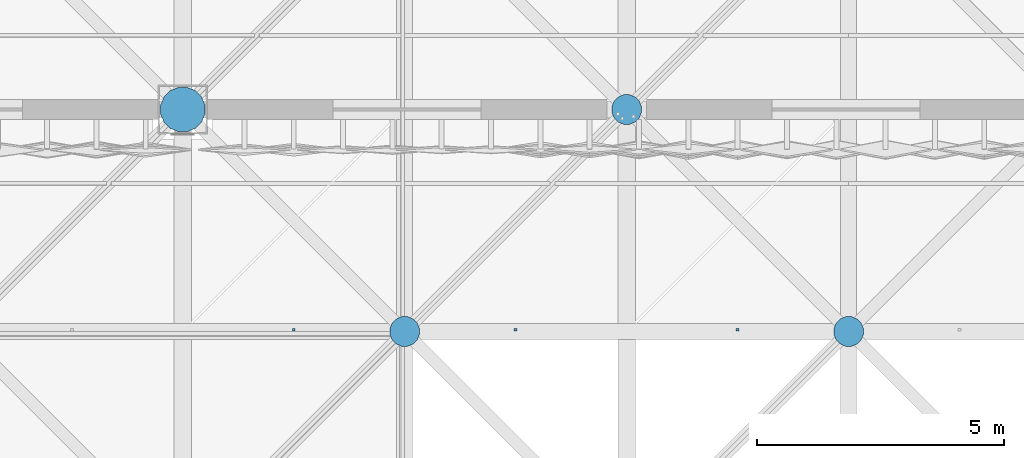
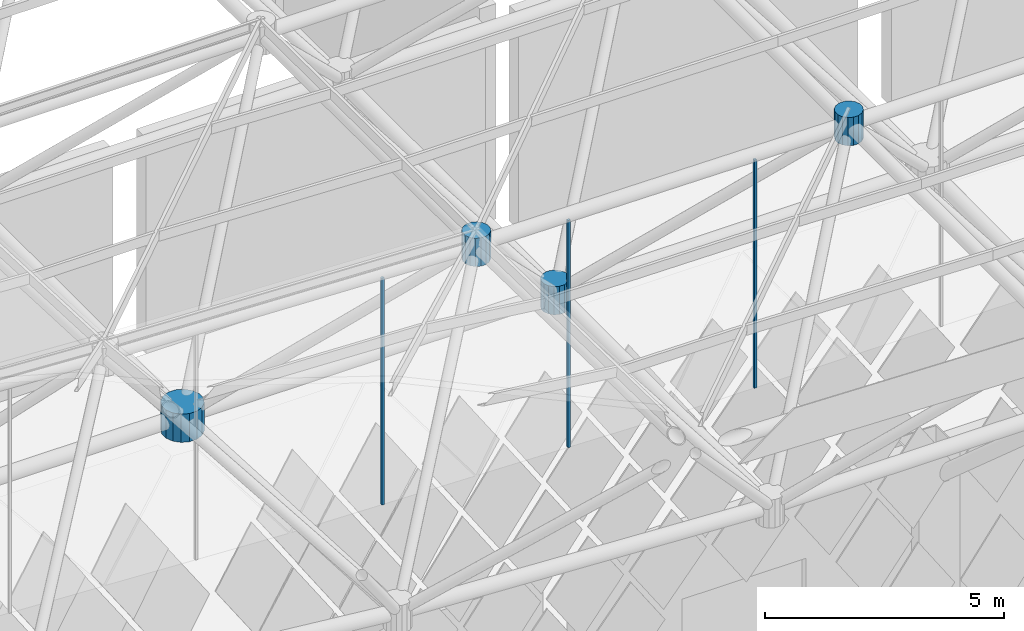
# One storey, part 297 of 437: 7 discrete accessories.
"""IFC4 building model written with IfcOpenShell, lengths in metres."""

import ifcopenshell
import ifcopenshell.guid

model = None  # the IFC model being written
_history = None  # IfcOwnerHistory: only IFC2X3 demands one
_inside = {}  # id of a spatial element -> (the spatial element, [elements in it])
_under = {}  # id of a project, library or spatial element -> (it, [spatial elements below it])
_declared = {}  # id of a project -> (the project, [libraries it declares])
_typed = {}  # id of a type object -> (the type object, [elements of that type])
_made_of = {}  # id of a material, layer set ... -> (it, [elements and type objects made of it])


def new_model(schema):
    """Start an empty IFC model of exactly this schema.

    Asked for "IFC4X3", IfcOpenShell would pick the latest addendum, in which some entities
    have other attributes; the version numbers below select the first issue.
    IFC2X3 requires an IfcOwnerHistory on every rooted entity: one is made here for all.
    """
    global model, _history
    if schema == "IFC4X3":
        model = ifcopenshell.file(schema_version=(4, 3, 0, 0))
    else:
        model = ifcopenshell.file(schema=schema)
    _inside.clear()
    _under.clear()
    _declared.clear()
    _typed.clear()
    _made_of.clear()
    _history = None
    if model.schema == "IFC2X3":
        org = make("IfcOrganization", Name="unknown")
        user = make(
            "IfcPersonAndOrganization",
            ThePerson=make("IfcPerson", FamilyName="unknown"),
            TheOrganization=org,
        )
        app = make(
            "IfcApplication",
            ApplicationDeveloper=org,
            Version="unknown",
            ApplicationFullName="unknown",
            ApplicationIdentifier="unknown",
        )
        _history = make(
            "IfcOwnerHistory",
            OwningUser=user,
            OwningApplication=app,
            ChangeAction="ADDED",
            CreationDate=0,
        )
    return model


def make(cls, **values):
    """One entity of the class cls with the attributes given. An attribute that is None is left unset."""
    return model.create_entity(
        cls, **{name: value for name, value in values.items() if value is not None}
    )


def rooted(cls, **values):
    """An entity with a GlobalId (a new one), such as an element, a storey or a relation."""
    return make(cls, GlobalId=ifcopenshell.guid.new(), OwnerHistory=_history, **values)


def si_unit(unit_type, name, prefix=None):
    """IfcSIUnit, for example si_unit("LENGTHUNIT", "METRE", prefix="MILLI")."""
    return make("IfcSIUnit", UnitType=unit_type, Prefix=prefix, Name=name)


def assignment(units):
    """IfcUnitAssignment: the units of a project."""
    return None if units is None else make("IfcUnitAssignment", Units=units)


def point(xyz):
    """IfcCartesianPoint."""
    return None if xyz is None else make("IfcCartesianPoint", Coordinates=xyz)


def direction(xyz):
    """IfcDirection."""
    return None if xyz is None else make("IfcDirection", DirectionRatios=xyz)


def frame(location, z_axis=None, x_axis=None):
    """IfcAxis2Placement3D, a coordinate frame: its origin and axes. An axis left out is left unset."""
    return make(
        "IfcAxis2Placement3D",
        Location=point(location),
        Axis=direction(z_axis),
        RefDirection=direction(x_axis),
    )


def origin():
    """The frame at (0, 0, 0) with its axes left unset."""
    return frame((0.0, 0.0, 0.0))


def place(relative_to, where):
    """IfcLocalPlacement: puts the frame where relative to a parent placement (None: the world)."""
    return make(
        "IfcLocalPlacement", PlacementRelTo=relative_to, RelativePlacement=where
    )


def context(
    kind, dimensions, precision=None, world=None, true_north=None, identifier=None
):
    """IfcGeometricRepresentationContext, for example the 3D "Model" context."""
    return make(
        "IfcGeometricRepresentationContext",
        ContextIdentifier=identifier,
        ContextType=kind,
        CoordinateSpaceDimension=dimensions,
        Precision=precision,
        WorldCoordinateSystem=world,
        TrueNorth=true_north,
    )


def subcontext(parent, identifier, kind, view, scale=None):
    """IfcGeometricRepresentationSubContext, for example "Body" below "Model"."""
    return make(
        "IfcGeometricRepresentationSubContext",
        ContextIdentifier=identifier,
        ContextType=kind,
        ParentContext=parent,
        TargetScale=scale,
        TargetView=view,
    )


def project(units=None, contexts=None):
    """IfcProject with its units and contexts."""
    return rooted(
        "IfcProject",
        Name="project",
        RepresentationContexts=contexts,
        UnitsInContext=assignment(units),
    )


def spatial(cls, under=None, at=None, **own):
    """A site, building, storey or space (cls), placed at a placement, below another one or the project."""
    s = rooted(cls, ObjectPlacement=at, **own)
    if under is not None:
        _under.setdefault(under.id(), (under, []))[1].append(s)
    return s


def polyline(points):
    """IfcPolyline through the points."""
    return make("IfcPolyline", Points=[point(p) for p in points])


def outline(outer, holes=None, kind="AREA"):
    """IfcArbitraryClosedProfileDef: a profile drawn as a closed curve; with holes, ...WithVoids."""
    if holes is None:
        return make("IfcArbitraryClosedProfileDef", ProfileType=kind, OuterCurve=outer)
    return make(
        "IfcArbitraryProfileDefWithVoids",
        ProfileType=kind,
        OuterCurve=outer,
        InnerCurves=holes,
    )


def extrude(swept, where, along, depth):
    """IfcExtrudedAreaSolid: the profile swept, set in the frame where, extruded along a direction by depth."""
    return make(
        "IfcExtrudedAreaSolid",
        SweptArea=swept,
        Position=where,
        ExtrudedDirection=direction(along),
        Depth=depth,
    )


def shape(context_of_items, identifier, shape_type, items):
    """IfcShapeRepresentation: the items that make up one representation, for example the "Body"."""
    return make(
        "IfcShapeRepresentation",
        ContextOfItems=context_of_items,
        RepresentationIdentifier=identifier,
        RepresentationType=shape_type,
        Items=items,
    )


def material(Name=None, Category=None):
    """IfcMaterial."""
    return make("IfcMaterial", Name=Name, Category=Category)


def made_of(thing, what):
    """Note that an element or type object is made of a material, layer set ...; save() writes the relation."""
    if what is not None:
        _made_of.setdefault(what.id(), (what, []))[1].append(thing)
    return thing


def type_object(cls, material=None, **own):
    """A type object (cls), such as IfcWallType, which elements share."""
    return made_of(rooted(cls, **own), material)


def element(
    cls,
    number,
    at=None,
    inside=None,
    cuts=None,
    type_object=None,
    material=None,
    context=None,
    identifier="Body",
    shape_type=None,
    held_by="IfcProductDefinitionShape",
    body=None,
    shapes=None,
    **own,
):
    """One element of the class cls, such as IfcWall. Its Tag is "e" and its number.

    at: its placement. inside: the storey or other place that contains it. cuts: it is an
    opening in that element (IfcRelVoidsElement). A single representation is given by context,
    identifier, shape_type and body (its items); several are given by shapes. held_by: the class
    of the entity that holds the representations. save() writes the other relations.
    """
    e = rooted(cls, Tag="e%d" % number, ObjectPlacement=at, **own)
    if body is not None:
        shapes = [shape(context, identifier, shape_type, body)]
    if shapes is not None:
        e.Representation = make(held_by, Representations=shapes)
    if inside is not None:
        _inside.setdefault(inside.id(), (inside, []))[1].append(e)
    if cuts is not None:
        rooted(
            "IfcRelVoidsElement", RelatingBuildingElement=cuts, RelatedOpeningElement=e
        )
    if type_object is not None:
        _typed.setdefault(type_object.id(), (type_object, []))[1].append(e)
    return made_of(e, material)


def aggregate(whole, parts):
    """IfcRelAggregates: a whole, such as a stair, and the parts it consists of."""
    return rooted("IfcRelAggregates", RelatingObject=whole, RelatedObjects=parts)


def save(model, path):
    """Write the relations noted so far, then the file.

    IfcRelAggregates (storeys below a building ...), IfcRelContainedInSpatialStructure (elements
    in a storey), IfcRelDefinesByType, IfcRelAssociatesMaterial and IfcRelDeclares: one each for
    every whole, place, type object, material and project.
    """
    for whole, parts in _under.values():
        aggregate(whole, parts)
    for where, things in _inside.values():
        rooted(
            "IfcRelContainedInSpatialStructure",
            RelatedElements=things,
            RelatingStructure=where,
        )
    for kind, things in _typed.values():
        rooted("IfcRelDefinesByType", RelatedObjects=things, RelatingType=kind)
    for what, things in _made_of.values():
        rooted("IfcRelAssociatesMaterial", RelatedObjects=things, RelatingMaterial=what)
    for by, libraries in _declared.values():
        rooted("IfcRelDeclares", RelatingContext=by, RelatedDefinitions=libraries)
    model.write(path)


model = new_model("IFC4")

# Units and contexts
model_context = context("Model", 3, precision=1e-05, world=origin(), true_north=direction((0.0, 1.0)))
body_context = subcontext(model_context, "Body", "Model", "MODEL_VIEW")
ifc_project = project(units=[si_unit("LENGTHUNIT", "METRE"), si_unit("AREAUNIT", "SQUARE_METRE"), si_unit("VOLUMEUNIT", "CUBIC_METRE"), si_unit("PLANEANGLEUNIT", "RADIAN"), si_unit("MASSUNIT", "GRAM", prefix="KILO")], contexts=[model_context])

# Site, building, storey
site_placement = place(None, origin())
site = spatial("IfcSite", under=ifc_project, at=site_placement, CompositionType="ELEMENT")
building_placement = place(site_placement, origin())
building = spatial("IfcBuilding", under=site, at=building_placement, Name="Opaline Strait Convention Centre", CompositionType="ELEMENT")
storey_placement = place(building_placement, frame((0.0, 0.0, 11.5)))
storey = spatial("IfcBuildingStorey", under=building, at=storey_placement, Name="L02", CompositionType="ELEMENT", Elevation=11.5)

# Discrete accessories
ifc_material_1 = material(Name="Steel Q355B", Category="steel")
discrete_accessory_type_1 = type_object("IfcDiscreteAccessoryType", Name="Soffit hanger 60x60 steel", PredefinedType="BRACKET", material=ifc_material_1)
discrete_accessory_1_placement = place(storey_placement, frame((0.0, 0.0, 12.1640625)))
element("IfcDiscreteAccessory", 1, at=discrete_accessory_1_placement, inside=storey, type_object=discrete_accessory_type_1, Name="Soffit hanger", PredefinedType="BRACKET", context=body_context, shape_type="SweptSolid", body=[
    extrude(outline(polyline([(137.219970703125, 49.5048828125), (137.280029296875, 49.5048828125), (137.280029296875, 49.56494140625), (137.219970703125, 49.56494140625), (137.219970703125, 49.5048828125)])), origin(), (0.0, 0.0, 1.0), 5.79443359375),
])
discrete_accessory_2_placement = place(storey_placement, frame((0.0, 0.0, 12.051513671875)))
element("IfcDiscreteAccessory", 2, at=discrete_accessory_2_placement, inside=storey, type_object=discrete_accessory_type_1, Name="Soffit hanger", PredefinedType="BRACKET", context=body_context, shape_type="SweptSolid", body=[
    extrude(outline(polyline([(141.719970703125, 49.5048828125), (141.780029296875, 49.5048828125), (141.780029296875, 49.56494140625), (141.719970703125, 49.56494140625), (141.719970703125, 49.5048828125)])), origin(), (0.0, 0.0, 1.0), 5.806640625),
])
discrete_accessory_3_placement = place(storey_placement, frame((0.0, 0.0, 11.993408203125)))
element("IfcDiscreteAccessory", 3, at=discrete_accessory_3_placement, inside=storey, type_object=discrete_accessory_type_1, Name="Soffit hanger", PredefinedType="BRACKET", context=body_context, shape_type="SweptSolid", body=[
    extrude(outline(polyline([(146.219970703125, 49.5048828125), (146.280029296875, 49.5048828125), (146.280029296875, 49.56494140625), (146.219970703125, 49.56494140625), (146.219970703125, 49.5048828125)])), origin(), (0.0, 0.0, 1.0), 5.83203125),
])
ifc_material_2 = material(Name="Cast steel ZG300-500H (300 MPa)", Category="steel")
discrete_accessory_type_2 = type_object("IfcDiscreteAccessoryType", Name="Space frame bearing node hub D900", PredefinedType="USERDEFINED", material=ifc_material_2)
discrete_accessory_4_placement = place(storey_placement, frame((0.0, 0.0, 12.139892578125)))
element("IfcDiscreteAccessory", 4, at=discrete_accessory_4_placement, inside=storey, type_object=discrete_accessory_type_2, Name="Bottom node 6/2", ObjectType="NODE HUB", PredefinedType="USERDEFINED", context=body_context, shape_type="SweptSolid", body=[
    extrude(outline(polyline([(135.449951171875, 54.089599609375), (135.381591796875, 54.2548828125), (135.2548828125, 54.381591796875), (135.089599609375, 54.449951171875), (134.910400390625, 54.449951171875), (134.7451171875, 54.381591796875), (134.618408203125, 54.2548828125), (134.550048828125, 54.089599609375), (134.550048828125, 53.910400390625), (134.618408203125, 53.7451171875), (134.7451171875, 53.618408203125), (134.910400390625, 53.550048828125), (135.089599609375, 53.550048828125), (135.2548828125, 53.618408203125), (135.381591796875, 53.7451171875), (135.449951171875, 53.910400390625), (135.449951171875, 54.089599609375)])), origin(), (0.0, 0.0, 1.0), 0.72021484375),
])
discrete_accessory_type_3 = type_object("IfcDiscreteAccessoryType", Name="Space frame node hub D600", PredefinedType="USERDEFINED", material=ifc_material_2)
discrete_accessory_5_placement = place(storey_placement, frame((0.0, 0.0, 17.677001953125)))
element("IfcDiscreteAccessory", 5, at=discrete_accessory_5_placement, inside=storey, type_object=discrete_accessory_type_3, Name="Top node 7/2", ObjectType="NODE HUB", PredefinedType="USERDEFINED", context=body_context, shape_type="SweptSolid", body=[
    extrude(outline(polyline([(139.800048828125, 49.559814453125), (139.75439453125, 49.669921875), (139.669921875, 49.75439453125), (139.559814453125, 49.800048828125), (139.440185546875, 49.800048828125), (139.330078125, 49.75439453125), (139.24560546875, 49.669921875), (139.199951171875, 49.559814453125), (139.199951171875, 49.440185546875), (139.24560546875, 49.330078125), (139.330078125, 49.24560546875), (139.440185546875, 49.199951171875), (139.559814453125, 49.199951171875), (139.669921875, 49.24560546875), (139.75439453125, 49.330078125), (139.800048828125, 49.440185546875), (139.800048828125, 49.559814453125)])), origin(), (0.0, 0.0, 1.0), 0.719970703125),
])
discrete_accessory_6_placement = place(storey_placement, frame((0.0, 0.0, 17.611572265625)))
element("IfcDiscreteAccessory", 6, at=discrete_accessory_6_placement, inside=storey, type_object=discrete_accessory_type_3, Name="Top node 8/2", ObjectType="NODE HUB", PredefinedType="USERDEFINED", context=body_context, shape_type="SweptSolid", body=[
    extrude(outline(polyline([(148.800048828125, 49.559814453125), (148.75439453125, 49.669921875), (148.669921875, 49.75439453125), (148.559814453125, 49.800048828125), (148.440185546875, 49.800048828125), (148.330078125, 49.75439453125), (148.24560546875, 49.669921875), (148.199951171875, 49.559814453125), (148.199951171875, 49.440185546875), (148.24560546875, 49.330078125), (148.330078125, 49.24560546875), (148.440185546875, 49.199951171875), (148.559814453125, 49.199951171875), (148.669921875, 49.24560546875), (148.75439453125, 49.330078125), (148.800048828125, 49.440185546875), (148.800048828125, 49.559814453125)])), origin(), (0.0, 0.0, 1.0), 0.719970703125),
])
discrete_accessory_7_placement = place(storey_placement, frame((0.0, 0.0, 12.139892578125)))
element("IfcDiscreteAccessory", 7, at=discrete_accessory_7_placement, inside=storey, type_object=discrete_accessory_type_3, Name="Bottom node 7/2", ObjectType="NODE HUB", PredefinedType="USERDEFINED", context=body_context, shape_type="SweptSolid", body=[
    extrude(outline(polyline([(144.300048828125, 54.059814453125), (144.25439453125, 54.169921875), (144.169921875, 54.25439453125), (144.059814453125, 54.300048828125), (143.940185546875, 54.300048828125), (143.830078125, 54.25439453125), (143.74560546875, 54.169921875), (143.699951171875, 54.059814453125), (143.699951171875, 53.940185546875), (143.74560546875, 53.830078125), (143.830078125, 53.74560546875), (143.940185546875, 53.699951171875), (144.059814453125, 53.699951171875), (144.169921875, 53.74560546875), (144.25439453125, 53.830078125), (144.300048828125, 53.940185546875), (144.300048828125, 54.059814453125)])), origin(), (0.0, 0.0, 1.0), 0.72021484375),
])

save(model, "model.ifc")
